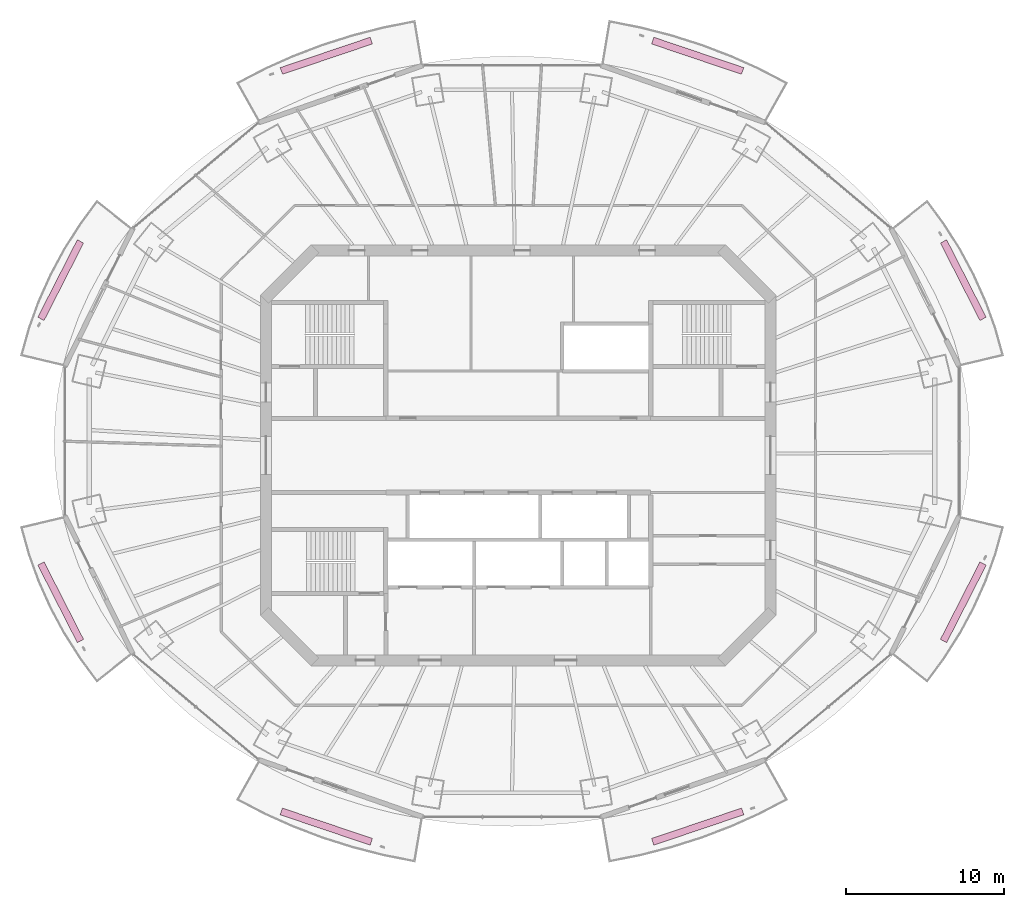
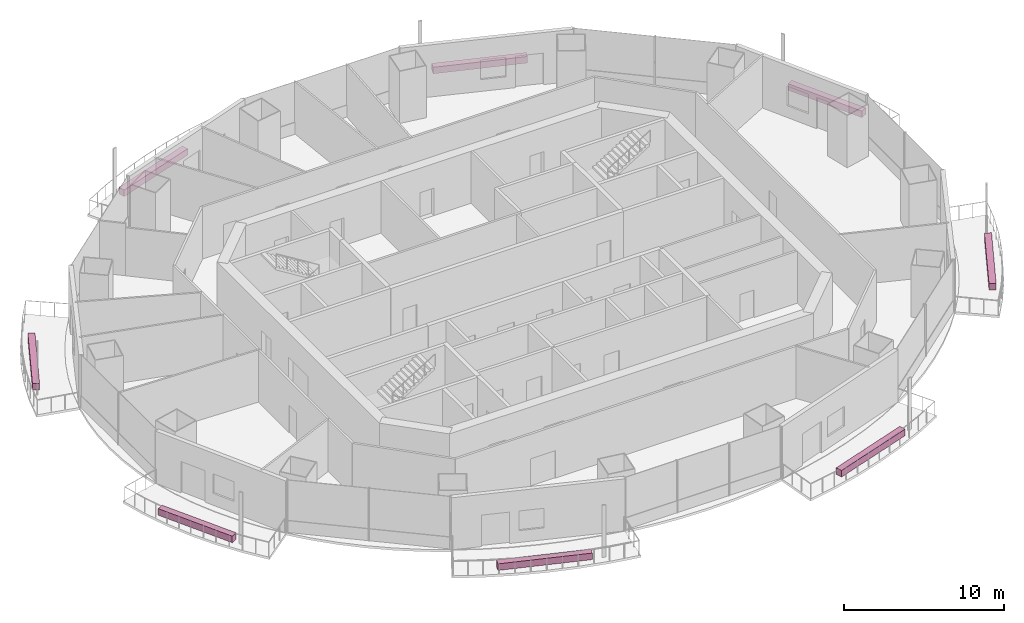
# One storey, part 16 of 16: 8 furnishings.
"""IFC4 building model written with IfcOpenShell, lengths in metres."""

from ifc_helpers import new_model, si_unit, direction, frame, origin, origin_2d, place, context, subcontext, project, spatial, rectangle, extrude, material, type_object, element, save


model = new_model("IFC4")

# Units and contexts
model_context = context("Model", 3, precision=1e-05, world=origin(), true_north=direction((0.0, 1.0)))
body_context = subcontext(model_context, "Body", "Model", "MODEL_VIEW")
ifc_project = project(units=[si_unit("LENGTHUNIT", "METRE"), si_unit("AREAUNIT", "SQUARE_METRE"), si_unit("VOLUMEUNIT", "CUBIC_METRE"), si_unit("PLANEANGLEUNIT", "RADIAN"), si_unit("MASSUNIT", "GRAM", prefix="KILO")], contexts=[model_context])

# Site, building, storey
site_placement = place(None, origin())
site = spatial("IfcSite", under=ifc_project, at=site_placement, CompositionType="ELEMENT")
building_placement = place(site_placement, origin())
building = spatial("IfcBuilding", under=site, at=building_placement, Name="Marenthal Gate Tower", CompositionType="ELEMENT")
storey_placement = place(building_placement, frame((0.0, 0.0, 288.64990234375)))
storey = spatial("IfcBuildingStorey", under=building, at=storey_placement, Name="L64", CompositionType="ELEMENT", Elevation=288.64990234375)

# Furnishings
ifc_material = material(Name="Planting soil and foliage", Category="planting")
furnishing_element_type = type_object("IfcFurnishingElementType", Name="Balcony PLANTER trough", material=ifc_material)
furnishing_1_placement = place(storey_placement, frame((28.222412109375, 11.11767578125, -0.039794921875), z_axis=(0.0, 0.0, 1.0), x_axis=(-0.454273484461, 0.890862279657, 0.0)))
element("IfcFurnishingElement", 1, at=furnishing_1_placement, inside=storey, type_object=furnishing_element_type, Name="Balcony PLANTER L64 bay 1", ObjectType="PLANTER", context=body_context, shape_type="SweptSolid", body=[
    extrude(rectangle(XDim=5.5166015625, YDim=0.449951171875, at=origin_2d()), origin(), (0.0, 0.0, 1.0), 0.5),
])
for number, where, z_axis, x_axis, name in (
    (2, (11.3759765625, 25.345458984375, -0.039794921875), (0.0, 0.0, 1.0), (-0.947437257295, 0.319941625129, 0.0), "Balcony PLANTER L64 bay 3"),
    (3, (-12.176025390625, 25.345458984375, -0.039794921875), (0.0, 0.0, 1.0), (-0.947437257295, -0.319941625129, 0.0), "Balcony PLANTER L64 bay 5"),
):
    element("IfcFurnishingElement", number, at=place(storey_placement, frame(where, z_axis=z_axis, x_axis=x_axis)), inside=storey, type_object=furnishing_element_type, Name=name, ObjectType="PLANTER", context=body_context, shape_type="SweptSolid", body=[
        extrude(rectangle(XDim=6.024658203125, YDim=0.449951171875, at=origin_2d()), origin(), (0.0, 0.0, 1.0), 0.5),
    ])
for number, where, z_axis, x_axis, name in (
    (4, (-29.0224609375, 11.11767578125, -0.039794921875), (0.0, 0.0, 1.0), (-0.454273484461, -0.890862279657, 0.0), "Balcony PLANTER L64 bay 7"),
    (5, (-29.0224609375, -9.317626953125, -0.039794921875), (0.0, 0.0, 1.0), (0.454273484461, -0.890862279657, 0.0), "Balcony PLANTER L64 bay 9"),
):
    element("IfcFurnishingElement", number, at=place(storey_placement, frame(where, z_axis=z_axis, x_axis=x_axis)), inside=storey, type_object=furnishing_element_type, Name=name, ObjectType="PLANTER", context=body_context, shape_type="SweptSolid", body=[
        extrude(rectangle(XDim=5.5166015625, YDim=0.449951171875, at=origin_2d()), origin(), (0.0, 0.0, 1.0), 0.5),
    ])
for number, where, z_axis, x_axis, name in (
    (6, (-12.176025390625, -23.54541015625, -0.039794921875), (0.0, 0.0, 1.0), (0.947437257295, -0.319941625129, 0.0), "Balcony PLANTER L64 bay 11"),
    (7, (11.3759765625, -23.54541015625, -0.039794921875), (0.0, 0.0, 1.0), (0.947437257295, 0.319941625129, 0.0), "Balcony PLANTER L64 bay 13"),
):
    element("IfcFurnishingElement", number, at=place(storey_placement, frame(where, z_axis=z_axis, x_axis=x_axis)), inside=storey, type_object=furnishing_element_type, Name=name, ObjectType="PLANTER", context=body_context, shape_type="SweptSolid", body=[
        extrude(rectangle(XDim=6.024658203125, YDim=0.449951171875, at=origin_2d()), origin(), (0.0, 0.0, 1.0), 0.5),
    ])
furnishing_2_placement = place(storey_placement, frame((28.222412109375, -9.317626953125, -0.039794921875), z_axis=(0.0, 0.0, 1.0), x_axis=(0.454273484461, 0.890862279657, 0.0)))
element("IfcFurnishingElement", 8, at=furnishing_2_placement, inside=storey, type_object=furnishing_element_type, Name="Balcony PLANTER L64 bay 15", ObjectType="PLANTER", context=body_context, shape_type="SweptSolid", body=[
    extrude(rectangle(XDim=5.5166015625, YDim=0.449951171875, at=origin_2d()), origin(), (0.0, 0.0, 1.0), 0.5),
])

save(model, "model.ifc")
